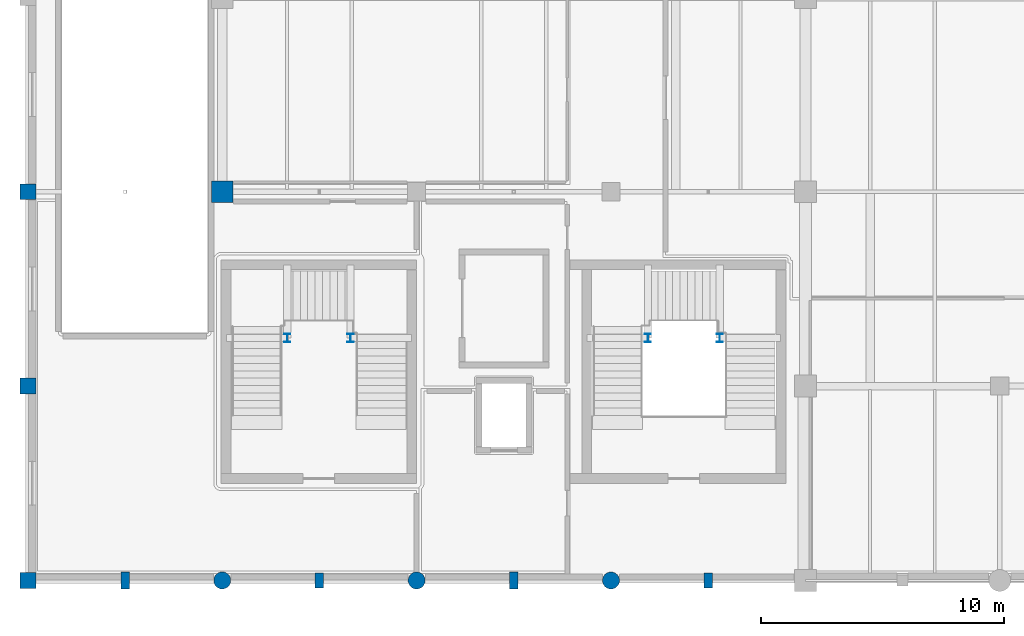
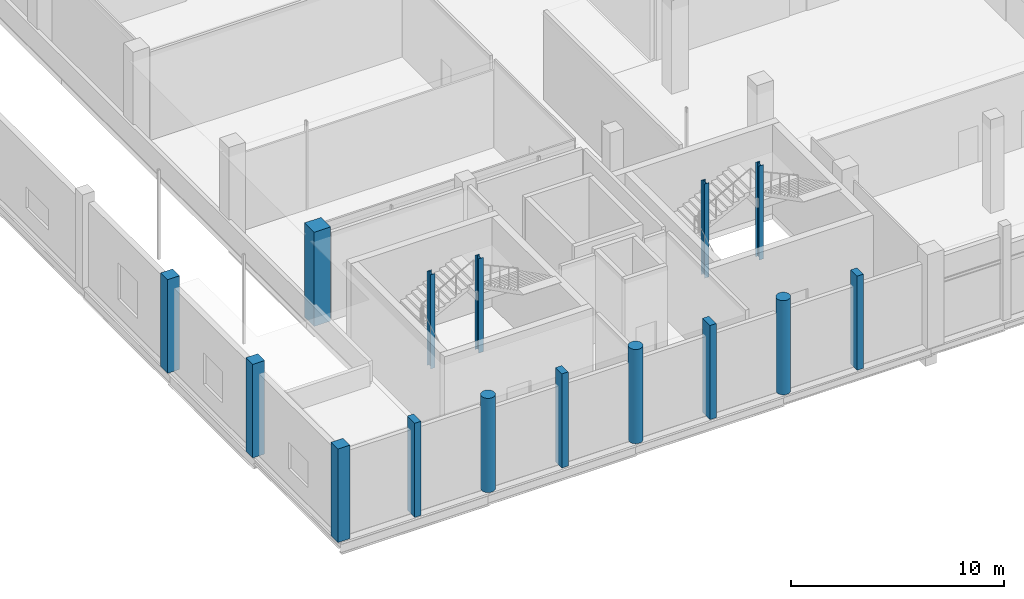
# One storey, part 1 of 57: 15 columns.
"""IFC4 building model written with IfcOpenShell, lengths in metres."""

from ifc_helpers import new_model, si_unit, derived_unit, direction, frame, origin, origin_2d, place, context, subcontext, project, spatial, rectangle, circle, i_section, extrude, material, material_profile, profile_set, type_object, element, save


model = new_model("IFC4")

# Units and contexts
model_context = context("Model", 3, precision=1e-05, world=origin(), true_north=direction((0.0, 1.0)))
body_context = subcontext(model_context, "Body", "Model", "MODEL_VIEW")
ifc_project = project(units=[si_unit("LENGTHUNIT", "METRE"), si_unit("AREAUNIT", "SQUARE_METRE"), si_unit("VOLUMEUNIT", "CUBIC_METRE"), si_unit("PLANEANGLEUNIT", "RADIAN"), si_unit("MASSUNIT", "GRAM", prefix="KILO"), derived_unit("THERMALTRANSMITTANCEUNIT", [(si_unit("POWERUNIT", "WATT"), 1), (si_unit("LENGTHUNIT", "METRE"), -2), (si_unit("THERMODYNAMICTEMPERATUREUNIT", "KELVIN"), -1)])], contexts=[model_context])

# Site, building, storey
site_placement = place(None, origin())
site = spatial("IfcSite", under=ifc_project, at=site_placement, CompositionType="ELEMENT")
building_placement = place(site_placement, origin())
building = spatial("IfcBuilding", under=site, at=building_placement, Name="Nallur Shell Playhouse", CompositionType="ELEMENT")
storey_placement = place(building_placement, origin())
storey = spatial("IfcBuildingStorey", under=building, at=storey_placement, Name="L01", CompositionType="ELEMENT", Elevation=0.0)

# Columns
ifc_material_1 = material(Name="Concrete M35", Category="concrete")
ifc_material_profile_1 = material_profile(ifc_material_1, rectangle(XDim=0.35009765625, YDim=0.60009765625, at=origin_2d()), Name="RC 350x600")
ifc_profile_set_1 = profile_set([ifc_material_profile_1], Name="Concrete M35")
column_type_1 = type_object("IfcColumnType", Name="CL-PIL-350x600", PredefinedType="PILASTER", material=ifc_profile_set_1)
for number, where, z_axis, x_axis, name in (
    (1, (20.0, 8.0, 0.0), (0.0, 0.0, 1.0), (1.0, 0.0, 0.0), "Wall pilaster PIL-02 (L01)"),
    (2, (36.0, 8.0, 0.0), (0.0, 0.0, 1.0), (1.0, 0.0, 0.0), "Wall pilaster PIL-04 (L01)"),
):
    element("IfcColumn", number, at=place(storey_placement, frame(where, z_axis=z_axis, x_axis=x_axis)), inside=storey, type_object=column_type_1, Name=name, PredefinedType="PILASTER", context=body_context, shape_type="SweptSolid", body=[
        extrude(rectangle(XDim=0.35009765625, YDim=0.60009765625, at=origin_2d()), origin(), (0.0, 0.0, 1.0), 5.39990234375),
    ])
ifc_material_2 = material(Name="Concrete M40", Category="concrete")
ifc_material_profile_2 = material_profile(ifc_material_2, rectangle(XDim=0.35009765625, YDim=0.699951171875, at=origin_2d()), Name="RC 350x700")
ifc_profile_set_2 = profile_set([ifc_material_profile_2], Name="Concrete M40")
column_type_2 = type_object("IfcColumnType", Name="CL-PIL-350x700", PredefinedType="PILASTER", material=ifc_profile_set_2)
for number, where, z_axis, x_axis, name in (
    (3, (12.0, 8.0, 0.0), (0.0, 0.0, 1.0), (1.0, 0.0, 0.0), "Wall pilaster PIL-01 (L01)"),
    (4, (28.0, 8.0, 0.0), (0.0, 0.0, 1.0), (1.0, 0.0, 0.0), "Wall pilaster PIL-03 (L01)"),
):
    element("IfcColumn", number, at=place(storey_placement, frame(where, z_axis=z_axis, x_axis=x_axis)), inside=storey, type_object=column_type_2, Name=name, PredefinedType="PILASTER", context=body_context, shape_type="SweptSolid", body=[
        extrude(rectangle(XDim=0.35009765625, YDim=0.699951171875, at=origin_2d()), origin(), (0.0, 0.0, 1.0), 5.39990234375),
    ])
ifc_material_profile_3 = material_profile(ifc_material_1, rectangle(XDim=0.64990234375, YDim=0.64990234375, at=origin_2d()), Name="RC 650x650")
ifc_profile_set_3 = profile_set([ifc_material_profile_3], Name="Concrete M35")
column_type_3 = type_object("IfcColumnType", Name="CL-RC-650", PredefinedType="COLUMN", material=ifc_profile_set_3)
for number, where, z_axis, x_axis, name in (
    (5, (8.0, 8.0, 0.0), (0.0, 0.0, 1.0), (1.0, 0.0, 0.0), "Column 1-A (L01)"),
    (6, (8.0, 16.0, 0.0), (0.0, 0.0, 1.0), (1.0, 0.0, 0.0), "Column 1-B (L01)"),
    (7, (8.0, 24.0, 0.0), (0.0, 0.0, 1.0), (1.0, 0.0, 0.0), "Column 1-C (L01)"),
):
    element("IfcColumn", number, at=place(storey_placement, frame(where, z_axis=z_axis, x_axis=x_axis)), inside=storey, type_object=column_type_3, Name=name, PredefinedType="COLUMN", context=body_context, shape_type="SweptSolid", body=[
        extrude(rectangle(XDim=0.64990234375, YDim=0.64990234375, at=origin_2d()), origin(), (0.0, 0.0, 1.0), 5.360107421875),
    ])
ifc_material_profile_4 = material_profile(ifc_material_2, rectangle(XDim=0.89990234375, YDim=0.89990234375, at=origin_2d()), Name="RC 900x900")
ifc_profile_set_4 = profile_set([ifc_material_profile_4], Name="Concrete M40")
column_type_4 = type_object("IfcColumnType", Name="CL-RC-900", PredefinedType="COLUMN", material=ifc_profile_set_4)
column_placement = place(storey_placement, frame((16.0, 24.0, 0.0), z_axis=(0.0, 0.0, 1.0), x_axis=(1.0, 0.0, 0.0)))
element("IfcColumn", 8, at=column_placement, inside=storey, type_object=column_type_4, Name="Column 2-C (L01)", PredefinedType="COLUMN", context=body_context, shape_type="SweptSolid", body=[
    extrude(rectangle(XDim=0.89990234375, YDim=0.89990234375, at=origin_2d()), origin(), (0.0, 0.0, 1.0), 5.39990234375),
])
ifc_material_profile_5 = material_profile(ifc_material_2, circle(Radius=0.35009765625, at=origin_2d()), Name="RC D700")
ifc_profile_set_5 = profile_set([ifc_material_profile_5], Name="Concrete M40")
column_type_5 = type_object("IfcColumnType", Name="CL-RCD-700", PredefinedType="COLUMN", material=ifc_profile_set_5)
for number, where, z_axis, x_axis, name in (
    (9, (16.0, 8.0, 0.0), (0.0, 0.0, 1.0), (1.0, 0.0, 0.0), "Column 2-A (L01)"),
    (10, (24.0, 8.0, 0.0), (0.0, 0.0, 1.0), (1.0, 0.0, 0.0), "Column 3-A (L01)"),
    (11, (32.0, 8.0, 0.0), (0.0, 0.0, 1.0), (1.0, 0.0, 0.0), "Column 4-A (L01)"),
):
    element("IfcColumn", number, at=place(storey_placement, frame(where, z_axis=z_axis, x_axis=x_axis)), inside=storey, type_object=column_type_5, Name=name, PredefinedType="COLUMN", context=body_context, shape_type="SweptSolid", body=[
        extrude(circle(Radius=0.35009765625, at=origin_2d()), origin(), (0.0, 0.0, 1.0), 5.39990234375),
    ])
ifc_material_3 = material(Name="Steel E350", Category="steel")
ifc_material_profile_6 = material_profile(ifc_material_3, i_section(OverallWidth=0.25, OverallDepth=0.35009765625, WebThickness=0.010009765625, FlangeThickness=0.01171875, FilletRadius=0.011962890625, at=origin_2d()), Name="ISHB 350")
ifc_profile_set_6 = profile_set([ifc_material_profile_6], Name="Steel E350")
column_type_6 = type_object("IfcColumnType", Name="CL-ST-ISHB350", PredefinedType="COLUMN", material=ifc_profile_set_6)
for number, where, z_axis, x_axis, name in (
    (12, (33.52001953125, 17.97998046875, 0.0), (0.0, 0.0, 1.0), (1.0, 0.0, 0.0), "Column STW-JC-1-W (L01)"),
    (13, (36.47998046875, 17.97998046875, 0.0), (0.0, 0.0, 1.0), (1.0, 0.0, 0.0), "Column STW-JC-1-E (L01)"),
    (14, (18.669921875, 17.97998046875, 0.0), (0.0, 0.0, 1.0), (1.0, 0.0, 0.0), "Column STW-JC-7-W (L01)"),
    (15, (21.280029296875, 17.97998046875, 0.0), (0.0, 0.0, 1.0), (1.0, 0.0, 0.0), "Column STW-JC-7-E (L01)"),
):
    element("IfcColumn", number, at=place(storey_placement, frame(where, z_axis=z_axis, x_axis=x_axis)), inside=storey, type_object=column_type_6, Name=name, PredefinedType="COLUMN", context=body_context, shape_type="SweptSolid", body=[
        extrude(i_section(OverallWidth=0.25, OverallDepth=0.35009765625, WebThickness=0.010009765625, FlangeThickness=0.01171875, FilletRadius=0.011962890625, at=origin_2d()), origin(), (0.0, 0.0, 1.0), 5.39990234375),
    ])

save(model, "model.ifc")
